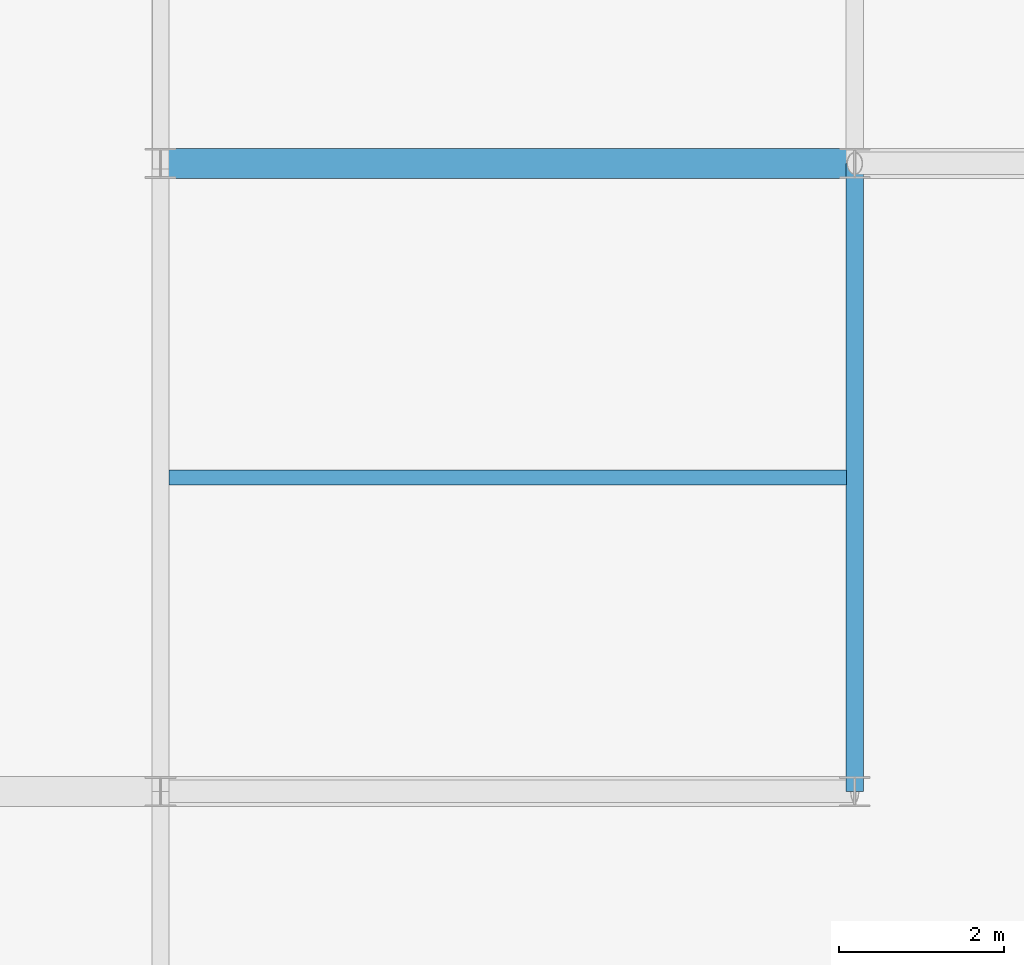
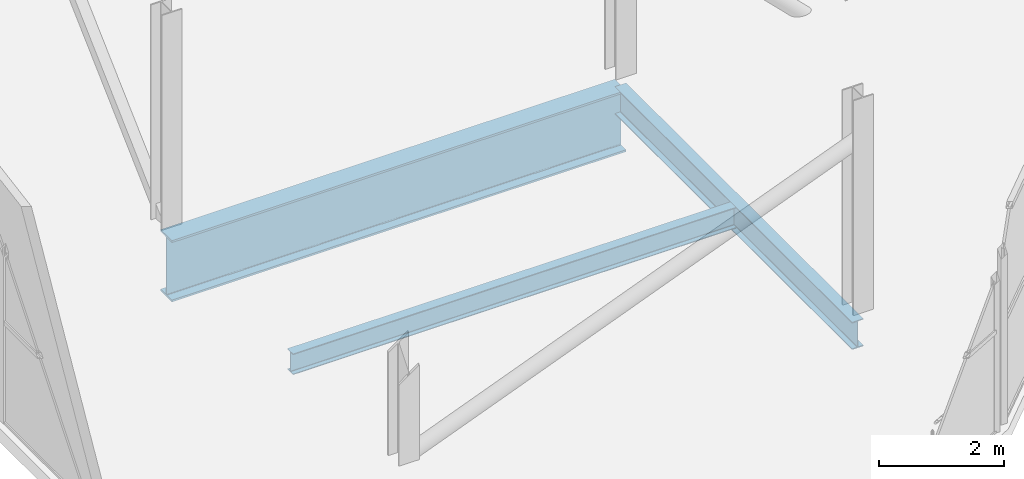
# One storey, part 146 of 217: 3 beams.
"""IFC4 building model written with IfcOpenShell, lengths in metres."""

from ifc_helpers import new_model, si_unit, direction, frame, origin, origin_2d, place, context, subcontext, project, spatial, i_section, extrude, material, material_profile, profile_set, type_object, element, save


model = new_model("IFC4")

# Units and contexts
model_context = context("Model", 3, precision=1e-05, world=origin(), true_north=direction((0.0, 1.0)))
body_context = subcontext(model_context, "Body", "Model", "MODEL_VIEW")
ifc_project = project(units=[si_unit("LENGTHUNIT", "METRE"), si_unit("AREAUNIT", "SQUARE_METRE"), si_unit("VOLUMEUNIT", "CUBIC_METRE"), si_unit("PLANEANGLEUNIT", "RADIAN"), si_unit("MASSUNIT", "GRAM", prefix="KILO")], contexts=[model_context])

# Site, building, storey
site_placement = place(None, origin())
site = spatial("IfcSite", under=ifc_project, at=site_placement, CompositionType="ELEMENT")
building_placement = place(site_placement, origin())
building = spatial("IfcBuilding", under=site, at=building_placement, Name="Zuvorla Pavilion Media Centre", CompositionType="ELEMENT")
storey_placement = place(building_placement, frame((0.0, 0.0, 9.60009765625)))
storey = spatial("IfcBuildingStorey", under=building, at=storey_placement, Name="L02", CompositionType="ELEMENT", Elevation=9.60009765625)

# Beams
ifc_material = material(Name="Steel S355", Category="steel")
ifc_material_profile_1 = material_profile(ifc_material, i_section(OverallWidth=0.360107421875, OverallDepth=1.199951171875, WebThickness=0.02001953125, FlangeThickness=0.0380859375, FilletRadius=0.02392578125, at=origin_2d()), Name="PG 1200x360x38")
ifc_profile_set_1 = profile_set([ifc_material_profile_1], Name="Steel S355")
beam_type_1 = type_object("IfcBeamType", Name="BM-PG1200", PredefinedType="BEAM", material=ifc_profile_set_1)
beam_1_placement = place(storey_placement, frame((159.199951171875, 59.199951171875, -0.8681640625), z_axis=(1.0, 0.0, 0.0), x_axis=(0.0, 1.0, 0.0)))
element("IfcBeam", 1, at=beam_1_placement, inside=storey, type_object=beam_type_1, Name="L02 beam B01 1668", PredefinedType="BEAM", context=body_context, shape_type="SweptSolid", body=[
    extrude(i_section(OverallWidth=0.360107421875, OverallDepth=1.199951171875, WebThickness=0.02001953125, FlangeThickness=0.0380859375, FilletRadius=0.02392578125, at=origin_2d()), origin(), (0.0, 0.0, 1.0), 8.400146484375),
])
ifc_material_profile_2 = material_profile(ifc_material, i_section(OverallWidth=0.1787109375, OverallDepth=0.409423828125, WebThickness=0.0087890625, FlangeThickness=0.014404296875, FilletRadius=0.01025390625, at=origin_2d()), Name="UB 406x178x67")
ifc_profile_set_2 = profile_set([ifc_material_profile_2], Name="Steel S355")
beam_type_2 = type_object("IfcBeamType", Name="BM-UB406", PredefinedType="JOIST", material=ifc_profile_set_2)
beam_2_placement = place(storey_placement, frame((159.300048828125, 55.39990234375, -0.472900390625), z_axis=(1.0, 0.0, 0.0), x_axis=(0.0, 1.0, 0.0)))
element("IfcBeam", 2, at=beam_2_placement, inside=storey, type_object=beam_type_2, Name="L02 joist J02 1042", PredefinedType="JOIST", context=body_context, shape_type="SweptSolid", body=[
    extrude(i_section(OverallWidth=0.1787109375, OverallDepth=0.409423828125, WebThickness=0.0087890625, FlangeThickness=0.014404296875, FilletRadius=0.01025390625, at=origin_2d()), origin(), (0.0, 0.0, 1.0), 8.199951171875),
])
ifc_material_profile_3 = material_profile(ifc_material, i_section(OverallWidth=0.2099609375, OverallDepth=0.53662109375, WebThickness=0.0107421875, FlangeThickness=0.017333984375, FilletRadius=0.0126953125, at=origin_2d()), Name="UB 533x210x101")
ifc_profile_set_3 = profile_set([ifc_material_profile_3], Name="Steel S355")
beam_type_3 = type_object("IfcBeamType", Name="BM-UB533", PredefinedType="BEAM", material=ifc_profile_set_3)
beam_3_placement = place(storey_placement, frame((167.60009765625, 51.60009765625, -0.536376953125), z_axis=(0.0, 1.0, 0.0), x_axis=(-1.0, 0.0, 0.0)))
element("IfcBeam", 3, at=beam_3_placement, inside=storey, type_object=beam_type_3, Name="L02 beam B08 977", PredefinedType="BEAM", context=body_context, shape_type="SweptSolid", body=[
    extrude(i_section(OverallWidth=0.2099609375, OverallDepth=0.53662109375, WebThickness=0.0107421875, FlangeThickness=0.017333984375, FilletRadius=0.0126953125, at=origin_2d()), origin(), (0.0, 0.0, 1.0), 7.599853515625),
])

save(model, "model.ifc")
